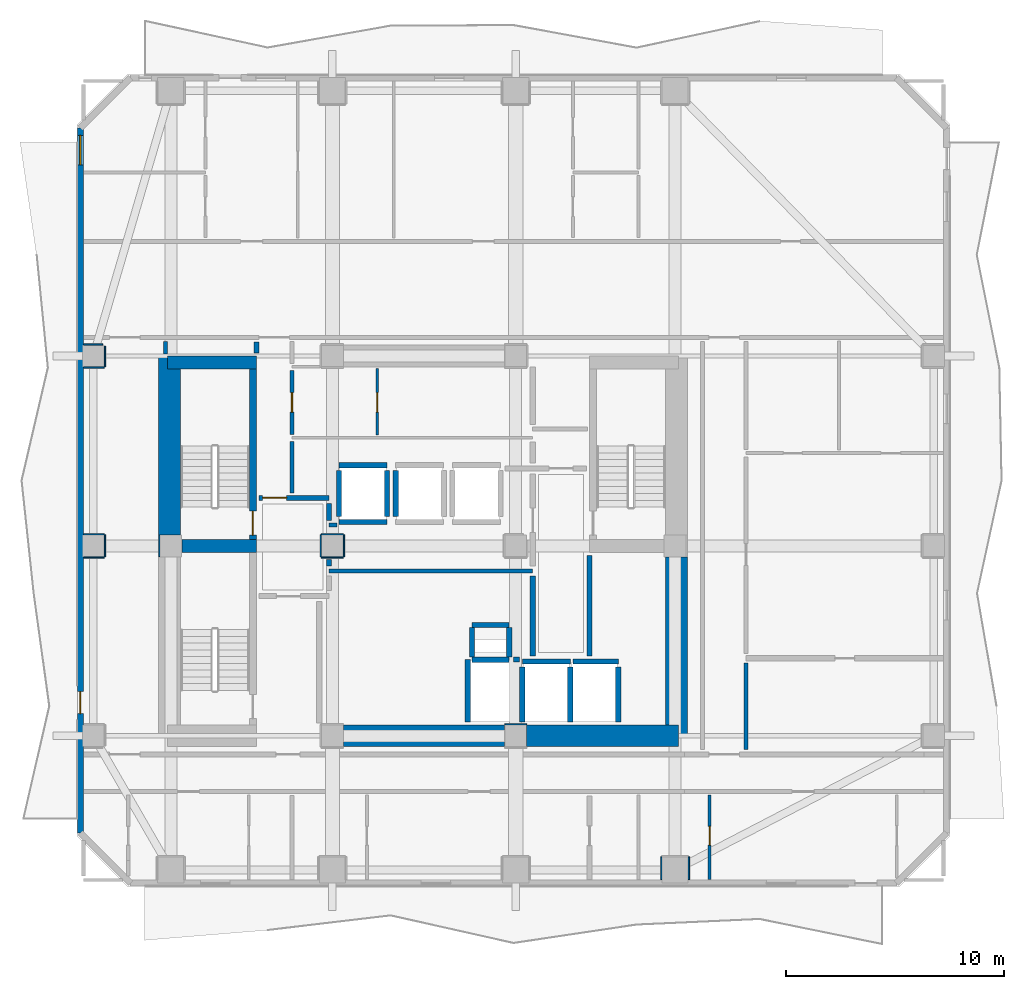
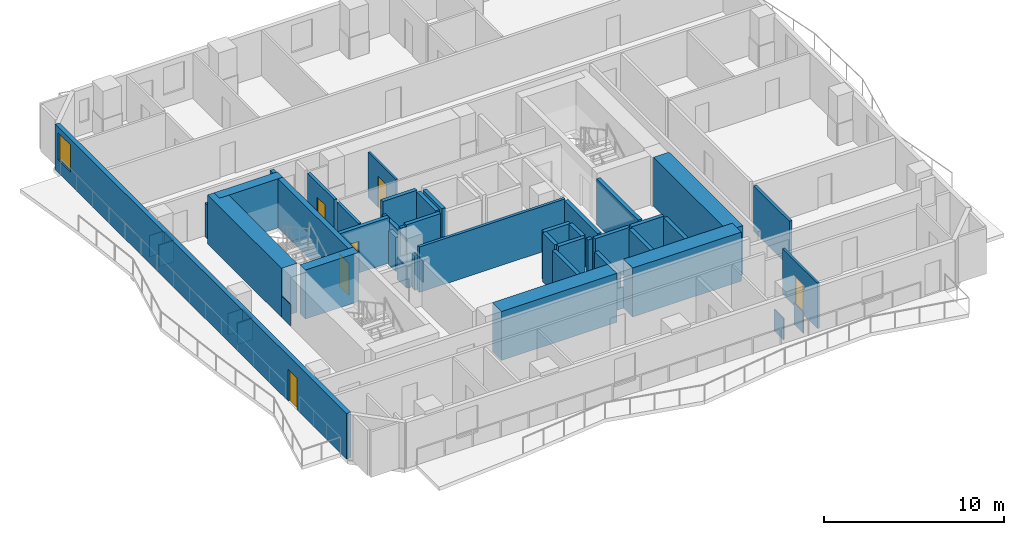
# One storey, part 3 of 9: 52 walls, 6 doors, 1 window, 7 openings.
"""IFC4 building model written with IfcOpenShell, lengths in metres."""

from ifc_helpers import new_model, si_unit, direction, frame, frame_2d, origin, place, context, subcontext, project, spatial, rectangle, extrude, material, layer, layer_set, type_object, element, fill, save


model = new_model("IFC4")

# Units and contexts
model_context = context("Model", 3, precision=1e-05, world=origin(), true_north=direction((0.0, 1.0)))
body_context = subcontext(model_context, "Body", "Model", "MODEL_VIEW")
ifc_project = project(units=[si_unit("LENGTHUNIT", "METRE"), si_unit("AREAUNIT", "SQUARE_METRE"), si_unit("VOLUMEUNIT", "CUBIC_METRE"), si_unit("PLANEANGLEUNIT", "RADIAN"), si_unit("MASSUNIT", "GRAM", prefix="KILO")], contexts=[model_context])

# Site, building, storey
site_placement = place(None, origin())
site = spatial("IfcSite", under=ifc_project, at=site_placement, CompositionType="ELEMENT")
building_placement = place(site_placement, origin())
building = spatial("IfcBuilding", under=site, at=building_placement, Name="Solanera Arch Residences", CompositionType="ELEMENT")
storey_placement = place(building_placement, frame((0.0, 0.0, 152.56005859375)))
storey = spatial("IfcBuildingStorey", under=building, at=storey_placement, Name="L44", CompositionType="ELEMENT", Elevation=152.56005859375)

# Walls
ifc_material_1 = material(Name="Fire-Rated Gypsum Stud Partition", Category="gypsum")
ifc_layer_1 = layer(ifc_material_1, 0.06005859375)
ifc_layer_set_1 = layer_set([ifc_layer_1], Name="Fire-Rated Gypsum Stud Partition")
wall_type_1 = type_object("IfcWallType", Name="Column Acoustic Furring Wall 60", PredefinedType="PARTITIONING", material=ifc_layer_set_1)
wall_1_placement = place(storey_placement, frame((28.699951171875, 22.531982421875, 0.0), z_axis=(0.0, 0.0, 1.0), x_axis=(1.0, 0.0, 0.0)))
element("IfcWall", 1, at=wall_1_placement, inside=storey, type_object=wall_type_1, Name="L44 Column Furring 2N", PredefinedType="PARTITIONING", context=body_context, shape_type="SweptSolid", body=[
    extrude(rectangle(XDim=1.0, YDim=0.06005859375, at=frame_2d((0.5, 0.0))), origin(), (0.0, 0.0, 1.0), 1.449951171875),
])
wall_2_placement = place(storey_placement, frame((12.867919921875, 30.2099609375, 0.0), z_axis=(0.0, 0.0, 1.0), x_axis=(0.0, 1.0, 0.0)))
element("IfcWall", 2, at=wall_2_placement, inside=storey, type_object=wall_type_1, Name="L44 Column Furring 5W", PredefinedType="PARTITIONING", context=body_context, shape_type="SweptSolid", body=[
    extrude(rectangle(XDim=0.97998046875, YDim=0.06005859375, at=frame_2d((0.489990234375, 0.0))), origin(), (0.0, 0.0, 1.0), 1.449951171875),
])
for number, where, z_axis, x_axis, name in (
    (3, (20.300048828125, 30.16796875, 0.0), (0.0, 0.0, 1.0), (1.0, 0.0, 0.0), "L44 Column Furring 7S"),
    (4, (20.300048828125, 31.23193359375, 0.0), (0.0, 0.0, 1.0), (1.0, 0.0, 0.0), "L44 Column Furring 7N"),
    (5, (20.26806640625, 30.199951171875, 0.0), (0.0, 0.0, 1.0), (0.0, 1.0, 0.0), "L44 Column Furring 7W"),
    (6, (21.33203125, 30.199951171875, 0.0), (0.0, 0.0, 1.0), (0.0, 1.0, 0.0), "L44 Column Furring 7E"),
):
    element("IfcWall", number, at=place(storey_placement, frame(where, z_axis=z_axis, x_axis=x_axis)), inside=storey, type_object=wall_type_1, Name=name, PredefinedType="PARTITIONING", context=body_context, shape_type="SweptSolid", body=[
        extrude(rectangle(XDim=1.0, YDim=0.06005859375, at=frame_2d((0.5, 0.0))), origin(), (0.0, 0.0, 1.0), 1.449951171875),
    ])
for number, where, z_axis, x_axis, name in (
    (7, (35.867919921875, 15.409912109375, 0.0), (0.0, 0.0, 1.0), (0.0, 1.0, 0.0), "L44 Column Furring 15W"),
    (8, (37.132080078125, 15.409912109375, 0.0), (0.0, 0.0, 1.0), (0.0, 1.0, 0.0), "L44 Column Furring 15E"),
):
    element("IfcWall", number, at=place(storey_placement, frame(where, z_axis=z_axis, x_axis=x_axis)), inside=storey, type_object=wall_type_1, Name=name, PredefinedType="PARTITIONING", context=body_context, shape_type="SweptSolid", body=[
        extrude(rectangle(XDim=1.0400390625, YDim=0.06005859375, at=frame_2d((0.52001953125, 0.0))), origin(), (0.0, 0.0, 1.0), 1.449951171875),
    ])
for number, where, z_axis, x_axis, name in (
    (9, (9.409912109375, 30.16796875, 0.0), (0.0, 0.0, 1.0), (1.0, 0.0, 0.0), "L44 Column Furring 19S"),
    (10, (9.409912109375, 31.23193359375, 0.0), (0.0, 0.0, 1.0), (1.0, 0.0, 0.0), "L44 Column Furring 19N"),
):
    element("IfcWall", number, at=place(storey_placement, frame(where, z_axis=z_axis, x_axis=x_axis)), inside=storey, type_object=wall_type_1, Name=name, PredefinedType="PARTITIONING", context=body_context, shape_type="SweptSolid", body=[
        extrude(rectangle(XDim=0.940185546875, YDim=0.06005859375, at=frame_2d((0.47021484375, 0.0))), origin(), (0.0, 0.0, 1.0), 1.449951171875),
    ])
wall_3_placement = place(storey_placement, frame((10.382080078125, 30.199951171875, 0.0), z_axis=(0.0, 0.0, 1.0), x_axis=(0.0, 1.0, 0.0)))
element("IfcWall", 11, at=wall_3_placement, inside=storey, type_object=wall_type_1, Name="L44 Column Furring 19E", PredefinedType="PARTITIONING", context=body_context, shape_type="SweptSolid", body=[
    extrude(rectangle(XDim=1.0, YDim=0.06005859375, at=frame_2d((0.5, 0.0))), origin(), (0.0, 0.0, 1.0), 1.449951171875),
])
wall_4_placement = place(storey_placement, frame((9.409912109375, 38.867919921875, 0.0), z_axis=(0.0, 0.0, 1.0), x_axis=(1.0, 0.0, 0.0)))
element("IfcWall", 12, at=wall_4_placement, inside=storey, type_object=wall_type_1, Name="L44 Column Furring 21S", PredefinedType="PARTITIONING", context=body_context, shape_type="SweptSolid", body=[
    extrude(rectangle(XDim=0.940185546875, YDim=0.06005859375, at=frame_2d((0.47021484375, 0.0))), origin(), (0.0, 0.0, 1.0), 1.449951171875),
])
wall_5_placement = place(storey_placement, frame((9.409912109375, 39.931884765625, 0.0), z_axis=(0.0, 0.0, 1.0), x_axis=(1.0, 0.0, 0.0)))
element("IfcWall", 13, at=wall_5_placement, inside=storey, type_object=wall_type_1, Name="L44 Column Furring 21N", PredefinedType="PARTITIONING", context=body_context, shape_type="SweptSolid", body=[
    extrude(rectangle(XDim=0.87109375, YDim=0.06005859375, at=frame_2d((0.435546875, 0.0))), origin(), (0.0, 0.0, 1.0), 1.449951171875),
])
wall_6_placement = place(storey_placement, frame((10.382080078125, 38.89990234375, 0.0), z_axis=(0.0, 0.0, 1.0), x_axis=(0.0, 1.0, 0.0)))
element("IfcWall", 14, at=wall_6_placement, inside=storey, type_object=wall_type_1, Name="L44 Column Furring 21E", PredefinedType="PARTITIONING", context=body_context, shape_type="SweptSolid", body=[
    extrude(rectangle(XDim=0.9560546875, YDim=0.06005859375, at=frame_2d((0.47802734375, 0.0))), origin(), (0.0, 0.0, 1.0), 1.449951171875),
])
ifc_material_2 = material(Name="Concrete C55/67 (f'c = 60 MPa)", Category="concrete")
ifc_layer_2 = layer(ifc_material_2, 1.0)
ifc_layer_set_2 = layer_set([ifc_layer_2], Name="Concrete C55/67 (f'c = 60 MPa)")
wall_type_2 = type_object("IfcWallType", Name="Core Shear Wall CW-1000", PredefinedType="SHEAR", material=ifc_layer_set_2)
wall_7_placement = place(storey_placement, frame((13.340087890625, 31.205078125, 0.0), z_axis=(0.0, 0.0, 1.0), x_axis=(0.0, 1.0, 0.0)))
element("IfcWall", 15, at=wall_7_placement, inside=storey, type_object=wall_type_2, Name="L44 West Core North Shear Wall", PredefinedType="SHEAR", context=body_context, shape_type="SweptSolid", body=[
    extrude(rectangle(XDim=8.19482421875, YDim=1.0, at=frame_2d((4.097412109375, 0.0))), origin(), (0.0, 0.0, 1.0), 3.31982421875),
])
wall_8_placement = place(storey_placement, frame((36.56005859375, 22.0, 0.0), z_axis=(0.0, 0.0, 1.0), x_axis=(0.0, 1.0, 0.0)))
element("IfcWall", 16, at=wall_8_placement, inside=storey, type_object=wall_type_2, Name="L44 East Core South Shear Wall", PredefinedType="SHEAR", context=body_context, shape_type="SweptSolid", body=[
    extrude(rectangle(XDim=8.195068359375, YDim=1.0, at=frame_2d((4.09765625, 0.0))), origin(), (0.0, 0.0, 1.0), 3.31982421875),
])
wall_9_placement = place(storey_placement, frame((29.705078125, 22.0, 0.0), z_axis=(0.0, 0.0, 1.0), x_axis=(1.0, 0.0, 0.0)))
element("IfcWall", 17, at=wall_9_placement, inside=storey, type_object=wall_type_2, Name="L44 South-East Core Shear Wall", PredefinedType="SHEAR", context=body_context, shape_type="SweptSolid", body=[
    extrude(rectangle(XDim=6.954833984375, YDim=1.0, at=frame_2d((3.4775390625, 0.0))), origin(), (0.0, 0.0, 1.0), 3.31982421875),
])
wall_10_placement = place(storey_placement, frame((21.304931640625, 22.0, 0.0), z_axis=(0.0, 0.0, 1.0), x_axis=(1.0, 0.0, 0.0)))
element("IfcWall", 18, at=wall_10_placement, inside=storey, type_object=wall_type_2, Name="L44 Central South Core Shear Wall", PredefinedType="SHEAR", context=body_context, shape_type="SweptSolid", body=[
    extrude(rectangle(XDim=7.39013671875, YDim=1.0, at=frame_2d((3.695068359375, 0.0))), origin(), (0.0, 0.0, 1.0), 3.31982421875),
])

# Wall, opening, door
ifc_material_3 = material(Name="Concrete C40/50 (f'c = 45 MPa)", Category="concrete")
ifc_layer_3 = layer(ifc_material_3, 0.320068359375)
ifc_layer_set_3 = layer_set([ifc_layer_3], Name="Concrete C40/50 (f'c = 45 MPa)")
wall_type_3 = type_object("IfcWallType", Name="Core Shear Wall CW-320", PredefinedType="SHEAR", material=ifc_layer_set_3)
wall_11_placement = place(storey_placement, frame((17.159912109375, 31.0, 0.0), z_axis=(0.0, 0.0, 1.0), x_axis=(0.0, 1.0, 0.0)))
wall_11 = element("IfcWall", 19, at=wall_11_placement, inside=storey, type_object=wall_type_3, Name="L44 Stair ST-T1 East Shear Wall", PredefinedType="SHEAR", context=body_context, shape_type="SweptSolid", body=[
    extrude(rectangle(XDim=7.800048828125, YDim=0.320068359375, at=frame_2d((3.89990234375, 0.0))), origin(), (0.0, 0.0, 1.0), 3.31982421875),
])
opening_1_placement = place(wall_11_placement, frame((0.18994140625, 0.0, 0.0)))
opening_1 = element("IfcOpeningElement", 20, at=opening_1_placement, cuts=wall_11, Name="Opening DF-01", PredefinedType="OPENING", context=body_context, shape_type="SweptSolid", body=[
    extrude(rectangle(XDim=1.10009765625, YDim=2.14990234375, at=frame_2d((0.550048828125, 1.074951171875))), frame((0.0, 0.169921875, 0.0), z_axis=(0.0, -1.0, 0.0), x_axis=(1.0, 0.0, 0.0)), (0.0, 0.0, 1.0), 0.3401),
])
ifc_material_4 = material(Name="Fire-Rated Architectural Hardwood", Category="wood")
door_type_1 = type_object("IfcDoorType", Name="Stair Exit Fire Door DF-01", OperationType="NOTDEFINED", PredefinedType="DOOR", material=ifc_material_4)
door_1_placement = place(opening_1_placement, origin())
door_1 = element("IfcDoor", 21, at=door_1_placement, inside=storey, type_object=door_type_1, Name="DR-L44-STAIR-ST-T1", OperationType="SINGLE_SWING_RIGHT", OverallHeight=2.14990234375, OverallWidth=1.10009765625, PredefinedType="DOOR", context=body_context, shape_type="SweptSolid", body=[
    extrude(rectangle(XDim=1.10009765625, YDim=2.14990234375, at=frame_2d((0.550048828125, 1.074951171875))), frame((0.0, 0.02490234375, 0.0), z_axis=(0.0, -1.0, 0.0), x_axis=(1.0, 0.0, 0.0)), (0.0, 0.0, 1.0), 0.050048828125),
])
fill(opening_1, door_1)

# Walls
ifc_material_5 = material(Name="Concrete C40/50 (f'c = 45 MPa)", Category="concrete")
ifc_layer_4 = layer(ifc_material_5, 0.60009765625)
ifc_layer_set_4 = layer_set([ifc_layer_4], Name="Concrete C40/50 (f'c = 45 MPa)")
wall_type_4 = type_object("IfcWallType", Name="Core Shear Wall CW-600", PredefinedType="SHEAR", material=ifc_layer_set_4)
wall_12_placement = place(storey_placement, frame((13.239990234375, 39.10009765625, 0.0), z_axis=(0.0, 0.0, 1.0), x_axis=(1.0, 0.0, 0.0)))
element("IfcWall", 22, at=wall_12_placement, inside=storey, type_object=wall_type_4, Name="L44 North-West Core Shear Wall", PredefinedType="SHEAR", context=body_context, shape_type="SweptSolid", body=[
    extrude(rectangle(XDim=4.080078125, YDim=0.60009765625, at=frame_2d((2.0400390625, 0.0))), origin(), (0.0, 0.0, 1.0), 3.31982421875),
])
wall_13_placement = place(storey_placement, frame((13.905029296875, 30.699951171875, 0.0), z_axis=(0.0, 0.0, 1.0), x_axis=(1.0, 0.0, 0.0)))
element("IfcWall", 23, at=wall_13_placement, inside=storey, type_object=wall_type_4, Name="L44 West Stair Divider Shear Wall", PredefinedType="SHEAR", context=body_context, shape_type="SweptSolid", body=[
    extrude(rectangle(XDim=3.4150390625, YDim=0.60009765625, at=frame_2d((1.70751953125, 0.0))), origin(), (0.0, 0.0, 1.0), 3.31982421875),
])
ifc_material_6 = material(Name="Autoclaved Aerated Concrete Blockwork", Category="masonry")
ifc_layer_5 = layer(ifc_material_6, 0.179931640625)
ifc_layer_set_5 = layer_set([ifc_layer_5], Name="Autoclaved Aerated Concrete Blockwork")
wall_type_5 = type_object("IfcWallType", Name="Corridor Fire Partition 180", PredefinedType="PARTITIONING", material=ifc_layer_set_5)
wall_14_placement = place(storey_placement, frame((20.64990234375, 29.550048828125, 0.0), z_axis=(0.0, 0.0, 1.0), x_axis=(1.0, 0.0, 0.0)))
element("IfcWall", 24, at=wall_14_placement, inside=storey, type_object=wall_type_5, Name="L44 Interior Partition H8", PredefinedType="PARTITIONING", context=body_context, shape_type="SweptSolid", body=[
    extrude(rectangle(XDim=9.3251953125, YDim=0.179931640625, at=frame_2d((4.66259765625, 0.0))), origin(), (0.0, 0.0, 1.0), 3.079833984375),
])
wall_15_placement = place(storey_placement, frame((20.64990234375, 31.64990234375, 0.0), z_axis=(0.0, 0.0, 1.0), x_axis=(1.0, 0.0, 0.0)))
element("IfcWall", 25, at=wall_15_placement, inside=storey, type_object=wall_type_5, Name="L44 Interior Partition H9", PredefinedType="PARTITIONING", context=body_context, shape_type="SweptSolid", body=[
    extrude(rectangle(XDim=0.357177734375, YDim=0.179931640625, at=frame_2d((0.1787109375, 0.0))), origin(), (0.0, 0.0, 1.0), 3.079833984375),
])
wall_16_placement = place(storey_placement, frame((13.14990234375, 39.5, 0.0), z_axis=(0.0, 0.0, 1.0), x_axis=(0.0, 1.0, 0.0)))
element("IfcWall", 26, at=wall_16_placement, inside=storey, type_object=wall_type_5, Name="L44 Interior Partition V8", PredefinedType="PARTITIONING", context=body_context, shape_type="SweptSolid", body=[
    extrude(rectangle(XDim=0.56201171875, YDim=0.179931640625, at=frame_2d((0.281005859375, 0.0))), origin(), (0.0, 0.0, 1.0), 2.31494140625),
])
wall_17_placement = place(storey_placement, frame((18.949951171875, 33.117919921875, 0.0), z_axis=(0.0, 0.0, 1.0), x_axis=(0.0, 1.0, 0.0)))
element("IfcWall", 27, at=wall_17_placement, inside=storey, type_object=wall_type_5, Name="L44 Interior Partition V10 1", PredefinedType="PARTITIONING", context=body_context, shape_type="SweptSolid", body=[
    extrude(rectangle(XDim=2.3740234375, YDim=0.179931640625, at=frame_2d((1.18701171875, 0.0))), origin(), (0.0, 0.0, 1.0), 3.079833984375),
])

# Wall, opening, door
wall_18_placement = place(storey_placement, frame((18.949951171875, 35.80810546875, 0.0), z_axis=(0.0, 0.0, 1.0), x_axis=(0.0, 1.0, 0.0)))
wall_18 = element("IfcWall", 28, at=wall_18_placement, inside=storey, type_object=wall_type_5, Name="L44 Interior Partition V10 2", PredefinedType="PARTITIONING", context=body_context, shape_type="SweptSolid", body=[
    extrude(rectangle(XDim=2.933837890625, YDim=0.179931640625, at=frame_2d((1.466796875, 0.0))), origin(), (0.0, 0.0, 1.0), 3.079833984375),
])
opening_2_placement = place(wall_18_placement, frame((1.01708984375, 0.0, 0.0)))
opening_2 = element("IfcOpeningElement", 29, at=opening_2_placement, cuts=wall_18, Name="Opening DI-02", PredefinedType="OPENING", context=body_context, shape_type="SweptSolid", body=[
    extrude(rectangle(XDim=0.89990234375, YDim=2.10009765625, at=frame_2d((0.449951171875, 1.050048828125))), frame((0.0, 0.10009765625, 0.0), z_axis=(0.0, -1.0, 0.0), x_axis=(1.0, 0.0, 0.0)), (0.0, 0.0, 1.0), 0.1999),
])
ifc_material_7 = material(Name="Fire-Rated Architectural Hardwood", Category="wood")
door_type_2 = type_object("IfcDoorType", Name="Suite Room Swing Door DI-02", OperationType="NOTDEFINED", PredefinedType="DOOR", material=ifc_material_7)
door_2_placement = place(opening_2_placement, origin())
door_2 = element("IfcDoor", 30, at=door_2_placement, inside=storey, type_object=door_type_2, Name="DR-L44-IN-014", OperationType="SINGLE_SWING_LEFT", OverallHeight=2.10009765625, OverallWidth=0.89990234375, PredefinedType="DOOR", context=body_context, shape_type="SweptSolid", body=[
    extrude(rectangle(XDim=0.89990234375, YDim=2.10009765625, at=frame_2d((0.449951171875, 1.050048828125))), frame((0.0, 0.02490234375, 0.0), z_axis=(0.0, -1.0, 0.0), x_axis=(1.0, 0.0, 0.0)), (0.0, 0.0, 1.0), 0.050048828125),
])
fill(opening_2, door_2)

# Wall
wall_19_placement = place(storey_placement, frame((39.75, 21.367919921875, 0.0), z_axis=(0.0, 0.0, 1.0), x_axis=(0.0, 1.0, 0.0)))
element("IfcWall", 31, at=wall_19_placement, inside=storey, type_object=wall_type_5, Name="L44 Interior Partition V13 1", PredefinedType="PARTITIONING", context=body_context, shape_type="SweptSolid", body=[
    extrude(rectangle(XDim=3.964111328125, YDim=0.179931640625, at=frame_2d((1.98193359375, 0.0))), origin(), (0.0, 0.0, 1.0), 3.079833984375),
])

# Wall, openings, door, window
ifc_material_8 = material(Name="Precast Concrete C35/45", Category="concrete")
ifc_layer_6 = layer(ifc_material_8, 0.280029296875)
ifc_layer_set_6 = layer_set([ifc_layer_6], Name="Precast Concrete C35/45")
wall_type_6 = type_object("IfcWallType", Name="Exterior Wall Precast Masonry-Frame 280", PredefinedType="STANDARD", material=ifc_layer_set_6)
wall_20_placement = place(storey_placement, frame((9.2548828125, 17.554931640625, 0.0), z_axis=(0.0, 0.0, 1.0), x_axis=(0.0, 1.0, 0.0)))
wall_20 = element("IfcWall", 32, at=wall_20_placement, inside=storey, type_object=wall_type_6, Name="L44 Tower Exterior Precast Masonry-Frame Wall W", PredefinedType="STANDARD", context=body_context, shape_type="SweptSolid", body=[
    extrude(rectangle(XDim=32.2900390625, YDim=0.280029296875, at=frame_2d((16.14501953125, 0.0))), origin(), (0.0, 0.0, 1.0), 3.079833984375),
])
opening_3_placement = place(wall_20_placement, frame((5.467041015625, 0.0, 0.0)))
opening_3 = element("IfcOpeningElement", 33, at=opening_3_placement, cuts=wall_20, Name="Opening DB-01", PredefinedType="OPENING", context=body_context, shape_type="SweptSolid", body=[
    extrude(rectangle(XDim=1.0, YDim=2.14990234375, at=frame_2d((0.5, 1.074951171875))), frame((0.0, 0.14990234375, 0.0), z_axis=(0.0, -1.0, 0.0), x_axis=(1.0, 0.0, 0.0)), (0.0, 0.0, 1.0), 0.3),
])
opening_4_placement = place(wall_20_placement, frame((30.60205078125, 0.0, 0.85009765625)))
opening_4 = element("IfcOpeningElement", 34, at=opening_4_placement, cuts=wall_20, Name="Opening W-10", PredefinedType="OPENING", context=body_context, shape_type="SweptSolid", body=[
    extrude(rectangle(XDim=1.35009765625, YDim=1.85009765625, at=frame_2d((0.675048828125, 0.925048828125))), frame((0.0, 0.14990234375, 0.0), z_axis=(0.0, -1.0, 0.0), x_axis=(1.0, 0.0, 0.0)), (0.0, 0.0, 1.0), 0.3),
])
ifc_material_9 = material(Name="Anodised Aluminium Alloy 6063-T6", Category="aluminium")
door_type_3 = type_object("IfcDoorType", Name="Glazed Balcony Swing Door DB-01", OperationType="NOTDEFINED", PredefinedType="DOOR", material=ifc_material_9)
door_3_placement = place(opening_3_placement, origin())
door_3 = element("IfcDoor", 35, at=door_3_placement, inside=storey, type_object=door_type_3, Name="DR-L44-OUT-04", OperationType="SINGLE_SWING_LEFT", OverallHeight=2.14990234375, OverallWidth=1.0, PredefinedType="DOOR", context=body_context, shape_type="SweptSolid", body=[
    extrude(rectangle(XDim=1.0, YDim=2.14990234375, at=frame_2d((0.5, 1.074951171875))), frame((0.0, 0.02490234375, 0.0), z_axis=(0.0, -1.0, 0.0), x_axis=(1.0, 0.0, 0.0)), (0.0, 0.0, 1.0), 0.050048828125),
])
fill(opening_3, door_3)
ifc_material_10 = material(Name="Double Glazed Low-E Laminated Glass", Category="glass")
window_type = type_object("IfcWindowType", Name="Punched Window W-10", PartitioningType="DOUBLE_PANEL_VERTICAL", PredefinedType="WINDOW", material=ifc_material_10)
window_placement = place(opening_4_placement, origin())
window = element("IfcWindow", 36, at=window_placement, inside=storey, type_object=window_type, Name="L44 4404-BR1 Punched Window", OverallHeight=1.85009765625, OverallWidth=1.35009765625, PartitioningType="SINGLE_PANEL", PredefinedType="WINDOW", context=body_context, shape_type="SweptSolid", body=[
    extrude(rectangle(XDim=1.35009765625, YDim=1.85009765625, at=frame_2d((0.675048828125, 0.925048828125))), frame((0.0, 0.030029296875, 0.0), z_axis=(0.0, -1.0, 0.0), x_axis=(1.0, 0.0, 0.0)), (0.0, 0.0, 1.0), 0.06005859375),
])
fill(opening_4, window)

# Walls
ifc_material_11 = material(Name="Concrete C40/50 (f'c = 45 MPa)", Category="concrete")
ifc_layer_7 = layer(ifc_material_11, 0.239990234375)
ifc_layer_set_7 = layer_set([ifc_layer_7], Name="Concrete C40/50 (f'c = 45 MPa)")
wall_type_7 = type_object("IfcWallType", Name="Ramp Bearing Shear Wall RW-240", PredefinedType="SHEAR", material=ifc_layer_set_7)
for number, where, z_axis, x_axis, name in (
    (37, (27.199951171875, 25.47998046875, 0.0), (0.0, 0.0, 1.0), (1.0, 0.0, 0.0), "L44 Core MEP Riser South Shaft Wall"),
    (38, (27.199951171875, 27.080078125, 0.0), (0.0, 0.0, 1.0), (1.0, 0.0, 0.0), "L44 Core MEP Riser North Shaft Wall"),
):
    element("IfcWall", number, at=place(storey_placement, frame(where, z_axis=z_axis, x_axis=x_axis)), inside=storey, type_object=wall_type_7, Name=name, PredefinedType="SHEAR", context=body_context, shape_type="SweptSolid", body=[
        extrude(rectangle(XDim=1.699951171875, YDim=0.239990234375, at=frame_2d((0.85009765625, 0.0))), origin(), (0.0, 0.0, 1.0), 3.31982421875),
    ])
for number, where, z_axis, x_axis, name in (
    (39, (27.199951171875, 25.60009765625, 0.0), (0.0, 0.0, 1.0), (0.0, 1.0, 0.0), "L44 Core MEP Riser West Shaft Wall"),
    (40, (28.89990234375, 25.60009765625, 0.0), (0.0, 0.0, 1.0), (0.0, 1.0, 0.0), "L44 Core MEP Riser East Shaft Wall"),
):
    element("IfcWall", number, at=place(storey_placement, frame(where, z_axis=z_axis, x_axis=x_axis)), inside=storey, type_object=wall_type_7, Name=name, PredefinedType="SHEAR", context=body_context, shape_type="SweptSolid", body=[
        extrude(rectangle(XDim=1.35986328125, YDim=0.239990234375, at=frame_2d((0.679931640625, 0.0))), origin(), (0.0, 0.0, 1.0), 3.31982421875),
    ])
ifc_material_12 = material(Name="Autoclaved Aerated Concrete Blockwork", Category="masonry")
ifc_layer_8 = layer(ifc_material_12, 0.239990234375)
ifc_layer_set_8 = layer_set([ifc_layer_8], Name="Autoclaved Aerated Concrete Blockwork")
wall_type_8 = type_object("IfcWallType", Name="Shaft Wall Fire-Rated 240", PredefinedType="PARTITIONING", material=ifc_layer_set_8)
for number, where, z_axis, x_axis, name in (
    (41, (21.10009765625, 31.800048828125, 0.0), (0.0, 0.0, 1.0), (1.0, 0.0, 0.0), "L44 Lift PL-M1 Hoistway Wall S"),
    (42, (21.10009765625, 34.39990234375, 0.0), (0.0, 0.0, 1.0), (1.0, 0.0, 0.0), "L44 Lift PL-M1 Hoistway Wall N"),
):
    element("IfcWall", number, at=place(storey_placement, frame(where, z_axis=z_axis, x_axis=x_axis)), inside=storey, type_object=wall_type_8, Name=name, PredefinedType="PARTITIONING", context=body_context, shape_type="SweptSolid", body=[
        extrude(rectangle(XDim=2.199951171875, YDim=0.239990234375, at=frame_2d((1.10009765625, 0.0))), origin(), (0.0, 0.0, 1.0), 3.079833984375),
    ])
wall_21_placement = place(storey_placement, frame((21.10009765625, 32.048095703125, 0.0), z_axis=(0.0, 0.0, 1.0), x_axis=(0.0, 1.0, 0.0)))
element("IfcWall", 43, at=wall_21_placement, inside=storey, type_object=wall_type_8, Name="L44 Lift PL-M1 Hoistway Wall W", PredefinedType="PARTITIONING", context=body_context, shape_type="SweptSolid", body=[
    extrude(rectangle(XDim=2.10400390625, YDim=0.239990234375, at=frame_2d((1.052001953125, 0.0))), origin(), (0.0, 0.0, 1.0), 2.31494140625),
])
for number, where, z_axis, x_axis, name in (
    (44, (23.300048828125, 32.048095703125, 0.0), (0.0, 0.0, 1.0), (0.0, 1.0, 0.0), "L44 Lift PL-M1 Hoistway Wall E"),
    (45, (23.699951171875, 32.048095703125, 0.0), (0.0, 0.0, 1.0), (0.0, 1.0, 0.0), "L44 Lift PL-M2 Hoistway Wall W"),
):
    element("IfcWall", number, at=place(storey_placement, frame(where, z_axis=z_axis, x_axis=x_axis)), inside=storey, type_object=wall_type_8, Name=name, PredefinedType="PARTITIONING", context=body_context, shape_type="SweptSolid", body=[
        extrude(rectangle(XDim=2.10400390625, YDim=0.239990234375, at=frame_2d((1.052001953125, 0.0))), origin(), (0.0, 0.0, 1.0), 3.079833984375),
    ])
wall_22_placement = place(storey_placement, frame((29.5, 25.39990234375, 0.0), z_axis=(0.0, 0.0, 1.0), x_axis=(1.0, 0.0, 0.0)))
element("IfcWall", 46, at=wall_22_placement, inside=storey, type_object=wall_type_8, Name="L44 Lift FFL-1 Hoistway Wall N", PredefinedType="PARTITIONING", context=body_context, shape_type="SweptSolid", body=[
    extrude(rectangle(XDim=2.199951171875, YDim=0.239990234375, at=frame_2d((1.10009765625, 0.0))), origin(), (0.0, 0.0, 1.0), 3.079833984375),
])
wall_23_placement = place(storey_placement, frame((29.5, 22.632080078125, 0.0), z_axis=(0.0, 0.0, 1.0), x_axis=(0.0, 1.0, 0.0)))
element("IfcWall", 47, at=wall_23_placement, inside=storey, type_object=wall_type_8, Name="L44 Lift FFL-1 Hoistway Wall W", PredefinedType="PARTITIONING", context=body_context, shape_type="SweptSolid", body=[
    extrude(rectangle(XDim=2.52001953125, YDim=0.239990234375, at=frame_2d((1.260009765625, 0.0))), origin(), (0.0, 0.0, 1.0), 2.31494140625),
])
wall_24_placement = place(storey_placement, frame((31.699951171875, 22.6298828125, 0.0), z_axis=(0.0, 0.0, 1.0), x_axis=(0.0, 1.0, 0.0)))
element("IfcWall", 48, at=wall_24_placement, inside=storey, type_object=wall_type_8, Name="L44 Lift FFL-1 Hoistway Wall E", PredefinedType="PARTITIONING", context=body_context, shape_type="SweptSolid", body=[
    extrude(rectangle(XDim=2.522216796875, YDim=0.239990234375, at=frame_2d((1.26123046875, 0.0))), origin(), (0.0, 0.0, 1.0), 3.079833984375),
])
wall_25_placement = place(storey_placement, frame((31.827880859375, 25.39990234375, 0.0), z_axis=(0.0, 0.0, 1.0), x_axis=(1.0, 0.0, 0.0)))
element("IfcWall", 49, at=wall_25_placement, inside=storey, type_object=wall_type_8, Name="L44 Lift FFL-2 Hoistway Wall N", PredefinedType="PARTITIONING", context=body_context, shape_type="SweptSolid", body=[
    extrude(rectangle(XDim=2.072021484375, YDim=0.239990234375, at=frame_2d((1.0361328125, 0.0))), origin(), (0.0, 0.0, 1.0), 3.079833984375),
])
wall_26_placement = place(storey_placement, frame((33.89990234375, 22.6298828125, 0.0), z_axis=(0.0, 0.0, 1.0), x_axis=(0.0, 1.0, 0.0)))
element("IfcWall", 50, at=wall_26_placement, inside=storey, type_object=wall_type_8, Name="L44 Lift FFL-2 Hoistway Wall E", PredefinedType="PARTITIONING", context=body_context, shape_type="SweptSolid", body=[
    extrude(rectangle(XDim=2.522216796875, YDim=0.239990234375, at=frame_2d((1.26123046875, 0.0))), origin(), (0.0, 0.0, 1.0), 3.079833984375),
])
wall_27_placement = place(storey_placement, frame((29.10302734375, 25.5, 0.0), z_axis=(0.0, 0.0, 1.0), x_axis=(1.0, 0.0, 0.0)))
element("IfcWall", 51, at=wall_27_placement, inside=storey, type_object=wall_type_8, Name="L44 Lift SVL-1 Hoistway Wall N", PredefinedType="PARTITIONING", context=body_context, shape_type="SweptSolid", body=[
    extrude(rectangle(XDim=0.26904296875, YDim=0.239990234375, at=frame_2d((0.134521484375, 0.0))), origin(), (0.0, 0.0, 1.0), 3.079833984375),
])
wall_28_placement = place(storey_placement, frame((27.0, 22.6298828125, 0.0), z_axis=(0.0, 0.0, 1.0), x_axis=(0.0, 1.0, 0.0)))
element("IfcWall", 52, at=wall_28_placement, inside=storey, type_object=wall_type_8, Name="L44 Lift SVL-1 Hoistway Wall W", PredefinedType="PARTITIONING", context=body_context, shape_type="SweptSolid", body=[
    extrude(rectangle(XDim=2.8681640625, YDim=0.239990234375, at=frame_2d((1.43408203125, 0.0))), origin(), (0.0, 0.0, 1.0), 3.079833984375),
])

# Wall, opening, door
wall_29_placement = place(storey_placement, frame((17.449951171875, 32.89990234375, 0.0), z_axis=(0.0, 0.0, 1.0), x_axis=(1.0, 0.0, 0.0)))
wall_29 = element("IfcWall", 53, at=wall_29_placement, inside=storey, type_object=wall_type_8, Name="L44 Interior Partition H5", PredefinedType="PARTITIONING", context=body_context, shape_type="SweptSolid", body=[
    extrude(rectangle(XDim=3.199951171875, YDim=0.239990234375, at=frame_2d((1.60009765625, 0.0))), origin(), (0.0, 0.0, 1.0), 3.079833984375),
])
opening_5_placement = place(wall_29_placement, frame((0.158935546875, 0.0, 0.0)))
opening_5 = element("IfcOpeningElement", 54, at=opening_5_placement, cuts=wall_29, Name="Opening DF-02", PredefinedType="OPENING", context=body_context, shape_type="SweptSolid", body=[
    extrude(rectangle(XDim=1.10009765625, YDim=2.14990234375, at=frame_2d((0.550048828125, 1.074951171875))), frame((0.0, 0.1298828125, 0.0), z_axis=(0.0, -1.0, 0.0), x_axis=(1.0, 0.0, 0.0)), (0.0, 0.0, 1.0), 0.26),
])
ifc_material_13 = material(Name="Fire-Rated Architectural Hardwood", Category="wood")
door_type_4 = type_object("IfcDoorType", Name="Firefighting Lobby Fire Door DF-02", OperationType="NOTDEFINED", PredefinedType="DOOR", material=ifc_material_13)
door_4_placement = place(opening_5_placement, origin())
door_4 = element("IfcDoor", 55, at=door_4_placement, inside=storey, type_object=door_type_4, Name="DR-L44-IN-005", OperationType="SINGLE_SWING_RIGHT", OverallHeight=2.14990234375, OverallWidth=1.10009765625, PredefinedType="DOOR", context=body_context, shape_type="SweptSolid", body=[
    extrude(rectangle(XDim=1.10009765625, YDim=2.14990234375, at=frame_2d((0.550048828125, 1.074951171875))), frame((0.0, 0.02490234375, 0.0), z_axis=(0.0, -1.0, 0.0), x_axis=(1.0, 0.0, 0.0)), (0.0, 0.0, 1.0), 0.050048828125),
])
fill(opening_5, door_4)

# Walls
wall_30_placement = place(storey_placement, frame((17.320068359375, 39.530029296875, 0.0), z_axis=(0.0, 0.0, 1.0), x_axis=(0.0, 1.0, 0.0)))
element("IfcWall", 56, at=wall_30_placement, inside=storey, type_object=wall_type_8, Name="L44 Interior Partition V1", PredefinedType="PARTITIONING", context=body_context, shape_type="SweptSolid", body=[
    extrude(rectangle(XDim=0.501953125, YDim=0.239990234375, at=frame_2d((0.2509765625, 0.0))), origin(), (0.0, 0.0, 1.0), 3.079833984375),
])
wall_31_placement = place(storey_placement, frame((20.64990234375, 29.76806640625, 0.0), z_axis=(0.0, 0.0, 1.0), x_axis=(0.0, 1.0, 0.0)))
element("IfcWall", 57, at=wall_31_placement, inside=storey, type_object=wall_type_8, Name="L44 Interior Partition V3 2", PredefinedType="PARTITIONING", context=body_context, shape_type="SweptSolid", body=[
    extrude(rectangle(XDim=0.300048828125, YDim=0.239990234375, at=frame_2d((0.14990234375, 0.0))), origin(), (0.0, 0.0, 1.0), 2.31494140625),
])
wall_32_placement = place(storey_placement, frame((20.64990234375, 31.867919921875, 0.0), z_axis=(0.0, 0.0, 1.0), x_axis=(0.0, 1.0, 0.0)))
element("IfcWall", 58, at=wall_32_placement, inside=storey, type_object=wall_type_8, Name="L44 Interior Partition V3 3", PredefinedType="PARTITIONING", context=body_context, shape_type="SweptSolid", body=[
    extrude(rectangle(XDim=0.7841796875, YDim=0.239990234375, at=frame_2d((0.39208984375, 0.0))), origin(), (0.0, 0.0, 1.0), 2.31494140625),
])
wall_33_placement = place(storey_placement, frame((29.97509765625, 25.64794921875, 0.0), z_axis=(0.0, 0.0, 1.0), x_axis=(0.0, 1.0, 0.0)))
element("IfcWall", 59, at=wall_33_placement, inside=storey, type_object=wall_type_8, Name="L44 Interior Partition V4 1", PredefinedType="PARTITIONING", context=body_context, shape_type="SweptSolid", body=[
    extrude(rectangle(XDim=3.68408203125, YDim=0.239990234375, at=frame_2d((1.842041015625, 0.0))), origin(), (0.0, 0.0, 1.0), 3.079833984375),
])
wall_34_placement = place(storey_placement, frame((32.580078125, 25.64794921875, 0.0), z_axis=(0.0, 0.0, 1.0), x_axis=(0.0, 1.0, 0.0)))
element("IfcWall", 60, at=wall_34_placement, inside=storey, type_object=wall_type_8, Name="L44 Interior Partition V6", PredefinedType="PARTITIONING", context=body_context, shape_type="SweptSolid", body=[
    extrude(rectangle(XDim=4.6220703125, YDim=0.239990234375, at=frame_2d((2.31103515625, 0.0))), origin(), (0.0, 0.0, 1.0), 3.079833984375),
])

# Wall, opening, door
ifc_material_14 = material(Name="Fire-Rated Gypsum Stud Partition", Category="gypsum")
ifc_layer_9 = layer(ifc_material_14, 0.1201171875)
ifc_layer_set_9 = layer_set([ifc_layer_9], Name="Fire-Rated Gypsum Stud Partition")
wall_type_9 = type_object("IfcWallType", Name="Unit Drywall Partition 120", PredefinedType="PARTITIONING", material=ifc_layer_set_9)
wall_35_placement = place(storey_placement, frame((22.85009765625, 35.778076171875, 0.0), z_axis=(0.0, 0.0, 1.0), x_axis=(0.0, 1.0, 0.0)))
wall_35 = element("IfcWall", 61, at=wall_35_placement, inside=storey, type_object=wall_type_9, Name="L44 Interior Partition V25", PredefinedType="PARTITIONING", context=body_context, shape_type="SweptSolid", body=[
    extrude(rectangle(XDim=3.052001953125, YDim=0.1201171875, at=frame_2d((1.52587890625, 0.0))), origin(), (0.0, 0.0, 1.0), 3.079833984375),
])
opening_6_placement = place(wall_35_placement, frame((1.047119140625, 0.0, 0.0)))
opening_6 = element("IfcOpeningElement", 62, at=opening_6_placement, cuts=wall_35, Name="Opening DI-02", PredefinedType="OPENING", context=body_context, shape_type="SweptSolid", body=[
    extrude(rectangle(XDim=0.89990234375, YDim=2.10009765625, at=frame_2d((0.449951171875, 1.050048828125))), frame((0.0, 0.070068359375, 0.0), z_axis=(0.0, -1.0, 0.0), x_axis=(1.0, 0.0, 0.0)), (0.0, 0.0, 1.0), 0.1401),
])
door_5_placement = place(opening_6_placement, origin())
door_5 = element("IfcDoor", 63, at=door_5_placement, inside=storey, type_object=door_type_2, Name="DR-L44-IN-015", OperationType="SINGLE_SWING_RIGHT", OverallHeight=2.10009765625, OverallWidth=0.89990234375, PredefinedType="DOOR", context=body_context, shape_type="SweptSolid", body=[
    extrude(rectangle(XDim=0.89990234375, YDim=2.10009765625, at=frame_2d((0.449951171875, 1.050048828125))), frame((0.0, 0.02490234375, 0.0), z_axis=(0.0, -1.0, 0.0), x_axis=(1.0, 0.0, 0.0)), (0.0, 0.0, 1.0), 0.050048828125),
])
fill(opening_6, door_5)

ifc_material_15 = material(Name="Autoclaved Aerated Concrete Blockwork", Category="masonry")
ifc_layer_10 = layer(ifc_material_15, 0.139892578125)
ifc_layer_set_10 = layer_set([ifc_layer_10], Name="Autoclaved Aerated Concrete Blockwork")
wall_type_10 = type_object("IfcWallType", Name="Wet-Room Partition 140", PredefinedType="PARTITIONING", material=ifc_layer_set_10)
wall_36_placement = place(storey_placement, frame((38.080078125, 15.406982421875, 0.0), z_axis=(0.0, 0.0, 1.0), x_axis=(0.0, 1.0, 0.0)))
wall_36 = element("IfcWall", 64, at=wall_36_placement, inside=storey, type_object=wall_type_10, Name="L44 Interior Partition V21", PredefinedType="PARTITIONING", context=body_context, shape_type="SweptSolid", body=[
    extrude(rectangle(XDim=3.875, YDim=0.139892578125, at=frame_2d((1.9375, 0.0))), origin(), (0.0, 0.0, 1.0), 3.079833984375),
])
opening_7_placement = place(wall_36_placement, frame((1.587890625, 0.0, 0.0)))
opening_7 = element("IfcOpeningElement", 65, at=opening_7_placement, cuts=wall_36, Name="Opening DI-05", PredefinedType="OPENING", context=body_context, shape_type="SweptSolid", body=[
    extrude(rectangle(XDim=0.860107421875, YDim=2.02001953125, at=frame_2d((0.43017578125, 1.010009765625))), frame((0.0, 0.079833984375, 0.0), z_axis=(0.0, -1.0, 0.0), x_axis=(1.0, 0.0, 0.0)), (0.0, 0.0, 1.0), 0.1599),
])
ifc_material_16 = material(Name="Fire-Rated Architectural Hardwood", Category="wood")
door_type_5 = type_object("IfcDoorType", Name="Bathroom Swing Door DI-05", OperationType="NOTDEFINED", PredefinedType="DOOR", material=ifc_material_16)
door_6_placement = place(opening_7_placement, origin())
door_6 = element("IfcDoor", 66, at=door_6_placement, inside=storey, type_object=door_type_5, Name="DR-L44-IN-023", OperationType="SINGLE_SWING_RIGHT", OverallHeight=2.02001953125, OverallWidth=0.860107421875, PredefinedType="DOOR", context=body_context, shape_type="SweptSolid", body=[
    extrude(rectangle(XDim=0.860107421875, YDim=2.02001953125, at=frame_2d((0.43017578125, 1.010009765625))), frame((0.0, 0.02490234375, 0.0), z_axis=(0.0, -1.0, 0.0), x_axis=(1.0, 0.0, 0.0)), (0.0, 0.0, 1.0), 0.050048828125),
])
fill(opening_7, door_6)

save(model, "model.ifc")
